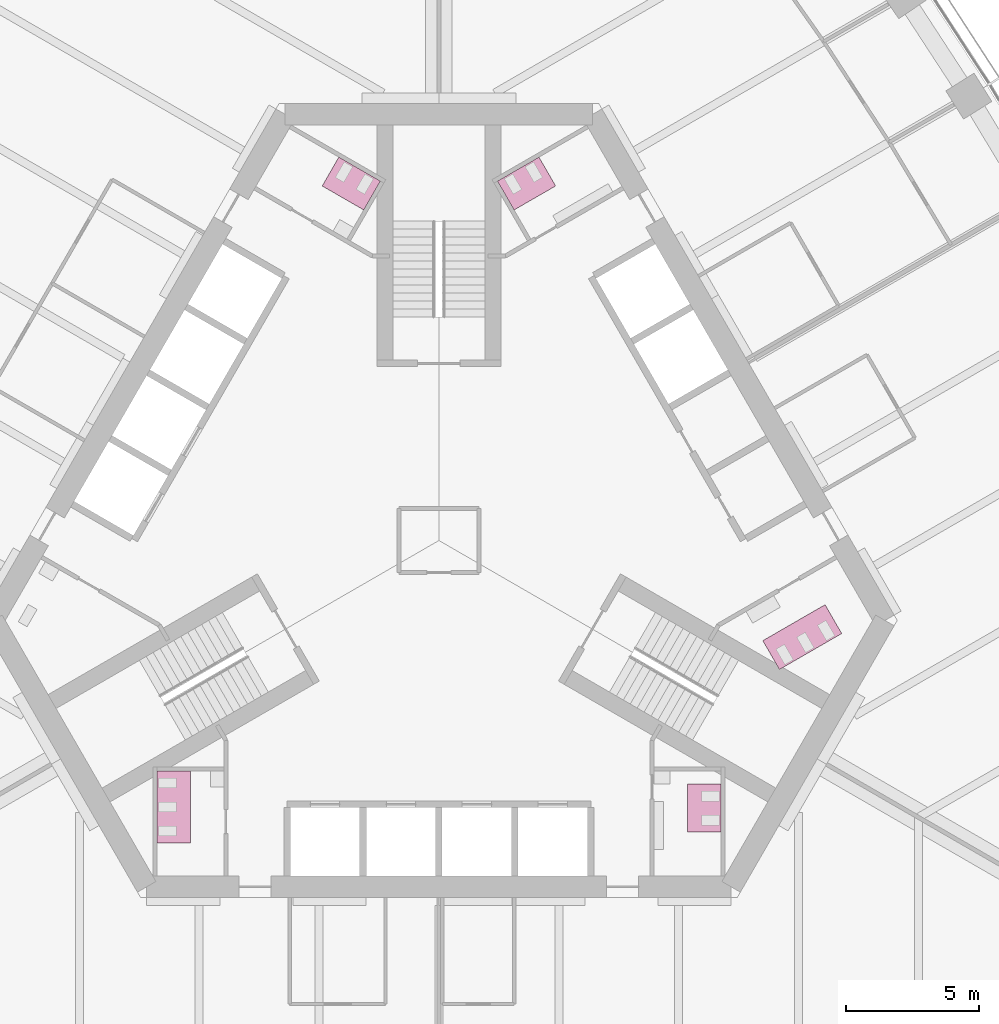
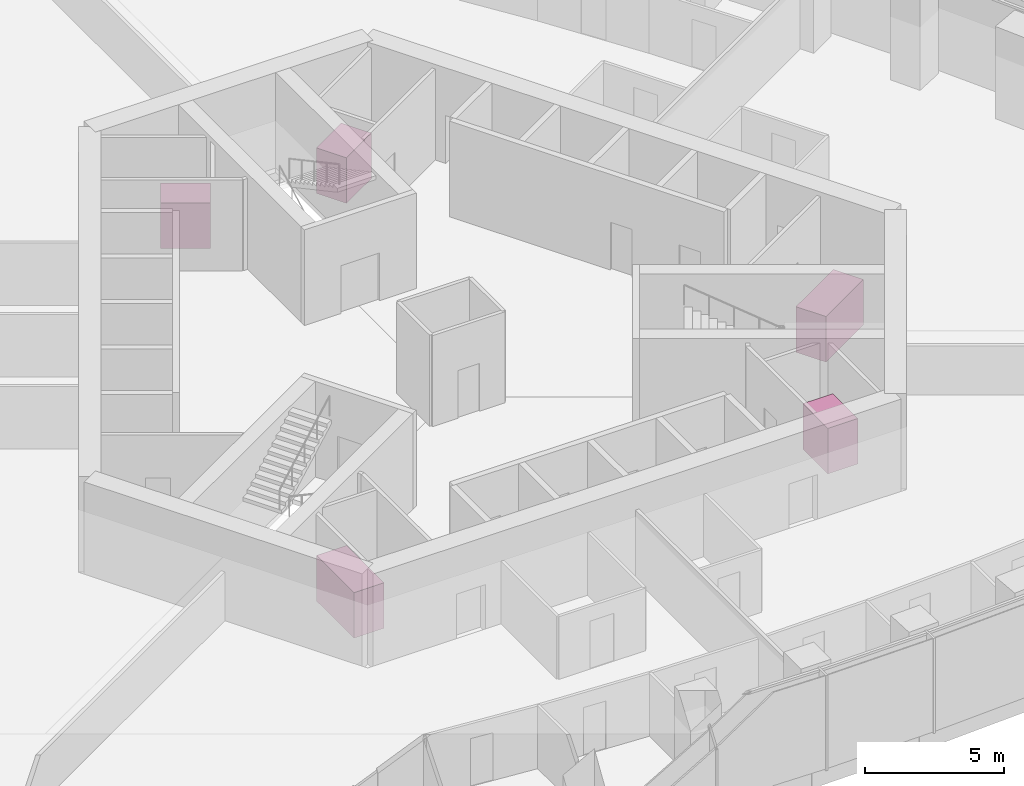
# One storey, part 19 of 19: 5 furniture elements.
"""IFC4 building model written with IfcOpenShell, lengths in metres."""

import ifcopenshell
import ifcopenshell.guid

model = None  # the IFC model being written
_history = None  # IfcOwnerHistory: only IFC2X3 demands one
_inside = {}  # id of a spatial element -> (the spatial element, [elements in it])
_under = {}  # id of a project, library or spatial element -> (it, [spatial elements below it])
_declared = {}  # id of a project -> (the project, [libraries it declares])
_typed = {}  # id of a type object -> (the type object, [elements of that type])
_made_of = {}  # id of a material, layer set ... -> (it, [elements and type objects made of it])


def new_model(schema):
    """Start an empty IFC model of exactly this schema.

    Asked for "IFC4X3", IfcOpenShell would pick the latest addendum, in which some entities
    have other attributes; the version numbers below select the first issue.
    IFC2X3 requires an IfcOwnerHistory on every rooted entity: one is made here for all.
    """
    global model, _history
    if schema == "IFC4X3":
        model = ifcopenshell.file(schema_version=(4, 3, 0, 0))
    else:
        model = ifcopenshell.file(schema=schema)
    _inside.clear()
    _under.clear()
    _declared.clear()
    _typed.clear()
    _made_of.clear()
    _history = None
    if model.schema == "IFC2X3":
        org = make("IfcOrganization", Name="unknown")
        user = make(
            "IfcPersonAndOrganization",
            ThePerson=make("IfcPerson", FamilyName="unknown"),
            TheOrganization=org,
        )
        app = make(
            "IfcApplication",
            ApplicationDeveloper=org,
            Version="unknown",
            ApplicationFullName="unknown",
            ApplicationIdentifier="unknown",
        )
        _history = make(
            "IfcOwnerHistory",
            OwningUser=user,
            OwningApplication=app,
            ChangeAction="ADDED",
            CreationDate=0,
        )
    return model


def make(cls, **values):
    """One entity of the class cls with the attributes given. An attribute that is None is left unset."""
    return model.create_entity(
        cls, **{name: value for name, value in values.items() if value is not None}
    )


def rooted(cls, **values):
    """An entity with a GlobalId (a new one), such as an element, a storey or a relation."""
    return make(cls, GlobalId=ifcopenshell.guid.new(), OwnerHistory=_history, **values)


def si_unit(unit_type, name, prefix=None):
    """IfcSIUnit, for example si_unit("LENGTHUNIT", "METRE", prefix="MILLI")."""
    return make("IfcSIUnit", UnitType=unit_type, Prefix=prefix, Name=name)


def assignment(units):
    """IfcUnitAssignment: the units of a project."""
    return None if units is None else make("IfcUnitAssignment", Units=units)


def point(xyz):
    """IfcCartesianPoint."""
    return None if xyz is None else make("IfcCartesianPoint", Coordinates=xyz)


def direction(xyz):
    """IfcDirection."""
    return None if xyz is None else make("IfcDirection", DirectionRatios=xyz)


def frame(location, z_axis=None, x_axis=None):
    """IfcAxis2Placement3D, a coordinate frame: its origin and axes. An axis left out is left unset."""
    return make(
        "IfcAxis2Placement3D",
        Location=point(location),
        Axis=direction(z_axis),
        RefDirection=direction(x_axis),
    )


def origin():
    """The frame at (0, 0, 0) with its axes left unset."""
    return frame((0.0, 0.0, 0.0))


def place(relative_to, where):
    """IfcLocalPlacement: puts the frame where relative to a parent placement (None: the world)."""
    return make(
        "IfcLocalPlacement", PlacementRelTo=relative_to, RelativePlacement=where
    )


def context(
    kind, dimensions, precision=None, world=None, true_north=None, identifier=None
):
    """IfcGeometricRepresentationContext, for example the 3D "Model" context."""
    return make(
        "IfcGeometricRepresentationContext",
        ContextIdentifier=identifier,
        ContextType=kind,
        CoordinateSpaceDimension=dimensions,
        Precision=precision,
        WorldCoordinateSystem=world,
        TrueNorth=true_north,
    )


def subcontext(parent, identifier, kind, view, scale=None):
    """IfcGeometricRepresentationSubContext, for example "Body" below "Model"."""
    return make(
        "IfcGeometricRepresentationSubContext",
        ContextIdentifier=identifier,
        ContextType=kind,
        ParentContext=parent,
        TargetScale=scale,
        TargetView=view,
    )


def project(units=None, contexts=None):
    """IfcProject with its units and contexts."""
    return rooted(
        "IfcProject",
        Name="project",
        RepresentationContexts=contexts,
        UnitsInContext=assignment(units),
    )


def spatial(cls, under=None, at=None, **own):
    """A site, building, storey or space (cls), placed at a placement, below another one or the project."""
    s = rooted(cls, ObjectPlacement=at, **own)
    if under is not None:
        _under.setdefault(under.id(), (under, []))[1].append(s)
    return s


def polyline(points):
    """IfcPolyline through the points."""
    return make("IfcPolyline", Points=[point(p) for p in points])


def outline(outer, holes=None, kind="AREA"):
    """IfcArbitraryClosedProfileDef: a profile drawn as a closed curve; with holes, ...WithVoids."""
    if holes is None:
        return make("IfcArbitraryClosedProfileDef", ProfileType=kind, OuterCurve=outer)
    return make(
        "IfcArbitraryProfileDefWithVoids",
        ProfileType=kind,
        OuterCurve=outer,
        InnerCurves=holes,
    )


def extrude(swept, where, along, depth):
    """IfcExtrudedAreaSolid: the profile swept, set in the frame where, extruded along a direction by depth."""
    return make(
        "IfcExtrudedAreaSolid",
        SweptArea=swept,
        Position=where,
        ExtrudedDirection=direction(along),
        Depth=depth,
    )


def shape(context_of_items, identifier, shape_type, items):
    """IfcShapeRepresentation: the items that make up one representation, for example the "Body"."""
    return make(
        "IfcShapeRepresentation",
        ContextOfItems=context_of_items,
        RepresentationIdentifier=identifier,
        RepresentationType=shape_type,
        Items=items,
    )


def material(Name=None, Category=None):
    """IfcMaterial."""
    return make("IfcMaterial", Name=Name, Category=Category)


def made_of(thing, what):
    """Note that an element or type object is made of a material, layer set ...; save() writes the relation."""
    if what is not None:
        _made_of.setdefault(what.id(), (what, []))[1].append(thing)
    return thing


def type_object(cls, material=None, **own):
    """A type object (cls), such as IfcWallType, which elements share."""
    return made_of(rooted(cls, **own), material)


def element(
    cls,
    number,
    at=None,
    inside=None,
    cuts=None,
    type_object=None,
    material=None,
    context=None,
    identifier="Body",
    shape_type=None,
    held_by="IfcProductDefinitionShape",
    body=None,
    shapes=None,
    **own,
):
    """One element of the class cls, such as IfcWall. Its Tag is "e" and its number.

    at: its placement. inside: the storey or other place that contains it. cuts: it is an
    opening in that element (IfcRelVoidsElement). A single representation is given by context,
    identifier, shape_type and body (its items); several are given by shapes. held_by: the class
    of the entity that holds the representations. save() writes the other relations.
    """
    e = rooted(cls, Tag="e%d" % number, ObjectPlacement=at, **own)
    if body is not None:
        shapes = [shape(context, identifier, shape_type, body)]
    if shapes is not None:
        e.Representation = make(held_by, Representations=shapes)
    if inside is not None:
        _inside.setdefault(inside.id(), (inside, []))[1].append(e)
    if cuts is not None:
        rooted(
            "IfcRelVoidsElement", RelatingBuildingElement=cuts, RelatedOpeningElement=e
        )
    if type_object is not None:
        _typed.setdefault(type_object.id(), (type_object, []))[1].append(e)
    return made_of(e, material)


def aggregate(whole, parts):
    """IfcRelAggregates: a whole, such as a stair, and the parts it consists of."""
    return rooted("IfcRelAggregates", RelatingObject=whole, RelatedObjects=parts)


def save(model, path):
    """Write the relations noted so far, then the file.

    IfcRelAggregates (storeys below a building ...), IfcRelContainedInSpatialStructure (elements
    in a storey), IfcRelDefinesByType, IfcRelAssociatesMaterial and IfcRelDeclares: one each for
    every whole, place, type object, material and project.
    """
    for whole, parts in _under.values():
        aggregate(whole, parts)
    for where, things in _inside.values():
        rooted(
            "IfcRelContainedInSpatialStructure",
            RelatedElements=things,
            RelatingStructure=where,
        )
    for kind, things in _typed.values():
        rooted("IfcRelDefinesByType", RelatedObjects=things, RelatingType=kind)
    for what, things in _made_of.values():
        rooted("IfcRelAssociatesMaterial", RelatedObjects=things, RelatingMaterial=what)
    for by, libraries in _declared.values():
        rooted("IfcRelDeclares", RelatingContext=by, RelatedDefinitions=libraries)
    model.write(path)


model = new_model("IFC4")

# Units and contexts
model_context = context("Model", 3, precision=1e-05, world=origin(), true_north=direction((0.0, 1.0)))
body_context = subcontext(model_context, "Body", "Model", "MODEL_VIEW")
ifc_project = project(units=[si_unit("LENGTHUNIT", "METRE"), si_unit("AREAUNIT", "SQUARE_METRE"), si_unit("VOLUMEUNIT", "CUBIC_METRE"), si_unit("PLANEANGLEUNIT", "RADIAN"), si_unit("MASSUNIT", "GRAM", prefix="KILO")], contexts=[model_context])

# Site, building, storey
site_placement = place(None, origin())
site = spatial("IfcSite", under=ifc_project, at=site_placement, CompositionType="ELEMENT")
building_placement = place(site_placement, origin())
building = spatial("IfcBuilding", under=site, at=building_placement, Name="Trefoil Bronze Tower", CompositionType="ELEMENT")
storey_placement = place(building_placement, frame((0.0, 0.0, 140.89990234375)))
storey = spatial("IfcBuildingStorey", under=building, at=storey_placement, Name="L32", CompositionType="ELEMENT", Elevation=140.89990234375)

# Furniture
ifc_material_1 = material(Name="Compact laminate cubicles", Category="plastic")
furniture_type_1 = type_object("IfcFurnitureType", Name="WC cubicle range 2 cubicles", AssemblyPlace="FACTORY", PredefinedType="USERDEFINED", material=ifc_material_1)
furniture_1_placement = place(storey_placement, origin())
element("IfcFurniture", 1, at=furniture_1_placement, inside=storey, type_object=furniture_type_1, Name="WC cubicle range WC (men) L32", ObjectType="WC cubicle range", PredefinedType="USERDEFINED", context=body_context, shape_type="SweptSolid", body=[
    extrude(outline(polyline([(9.3349609375, -9.14990234375), (10.5849609375, -9.14990234375), (10.5849609375, -10.949951171875), (9.3349609375, -10.949951171875), (9.3349609375, -9.14990234375)])), origin(), (0.0, 0.0, 1.0), 2.0),
])
furniture_2_placement = place(storey_placement, origin())
element("IfcFurniture", 2, at=furniture_2_placement, inside=storey, type_object=furniture_type_1, Name="WC cubicle range WC (men) L32", ObjectType="WC cubicle range", PredefinedType="USERDEFINED", context=body_context, shape_type="SweptSolid", body=[
    extrude(outline(polyline([(2.82373046875, 12.409423828125), (2.19873046875, 13.491943359375), (3.757568359375, 14.391845703125), (4.382568359375, 13.309326171875), (2.82373046875, 12.409423828125)])), origin(), (0.0, 0.0, 1.0), 2.0),
])
furniture_3_placement = place(storey_placement, origin())
element("IfcFurniture", 3, at=furniture_3_placement, inside=storey, type_object=furniture_type_1, Name="WC cubicle range WC (women) L32", ObjectType="WC cubicle range", PredefinedType="USERDEFINED", context=body_context, shape_type="SweptSolid", body=[
    extrude(outline(polyline([(-2.82373046875, 12.409423828125), (-2.19873046875, 13.491943359375), (-3.757568359375, 14.391845703125), (-4.382568359375, 13.309326171875), (-2.82373046875, 12.409423828125)])), origin(), (0.0, 0.0, 1.0), 2.0),
])
ifc_material_2 = material(Name="Compact laminate cubicles", Category="plastic")
furniture_type_2 = type_object("IfcFurnitureType", Name="WC cubicle range 3 cubicles", AssemblyPlace="FACTORY", PredefinedType="USERDEFINED", material=ifc_material_2)
furniture_4_placement = place(storey_placement, origin())
element("IfcFurniture", 4, at=furniture_4_placement, inside=storey, type_object=furniture_type_2, Name="WC cubicle range WC (women) L32", ObjectType="WC cubicle range", PredefinedType="USERDEFINED", context=body_context, shape_type="SweptSolid", body=[
    extrude(outline(polyline([(12.15869140625, -3.75927734375), (12.78369140625, -4.841796875), (15.121826171875, -3.491943359375), (14.496826171875, -2.409423828125), (12.15869140625, -3.75927734375)])), origin(), (0.0, 0.0, 1.0), 2.0),
])
furniture_5_placement = place(storey_placement, origin())
element("IfcFurniture", 5, at=furniture_5_placement, inside=storey, type_object=furniture_type_2, Name="WC cubicle range WC (women) L32", ObjectType="WC cubicle range", PredefinedType="USERDEFINED", context=body_context, shape_type="SweptSolid", body=[
    extrude(outline(polyline([(-9.3349609375, -8.64990234375), (-10.5849609375, -8.64990234375), (-10.5849609375, -11.35009765625), (-9.3349609375, -11.35009765625), (-9.3349609375, -8.64990234375)])), origin(), (0.0, 0.0, 1.0), 2.0),
])

save(model, "model.ifc")
